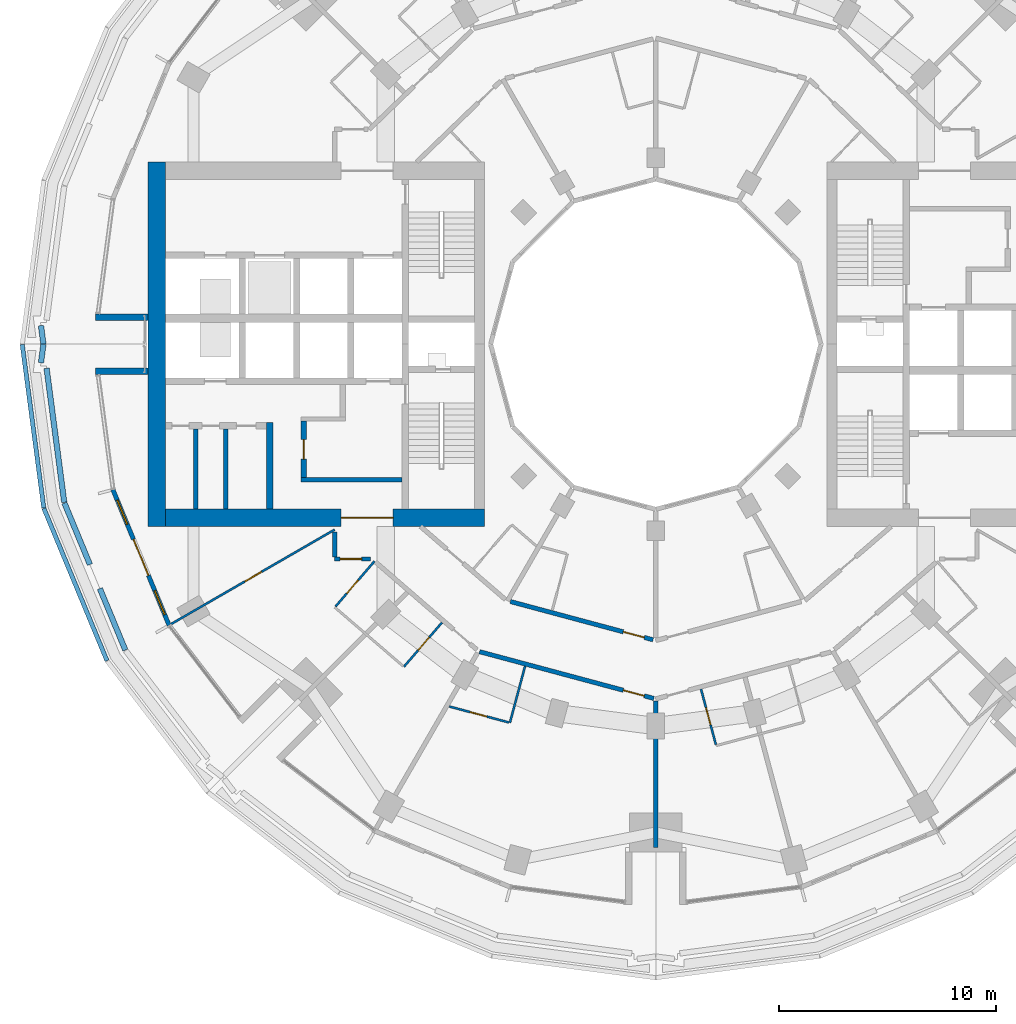
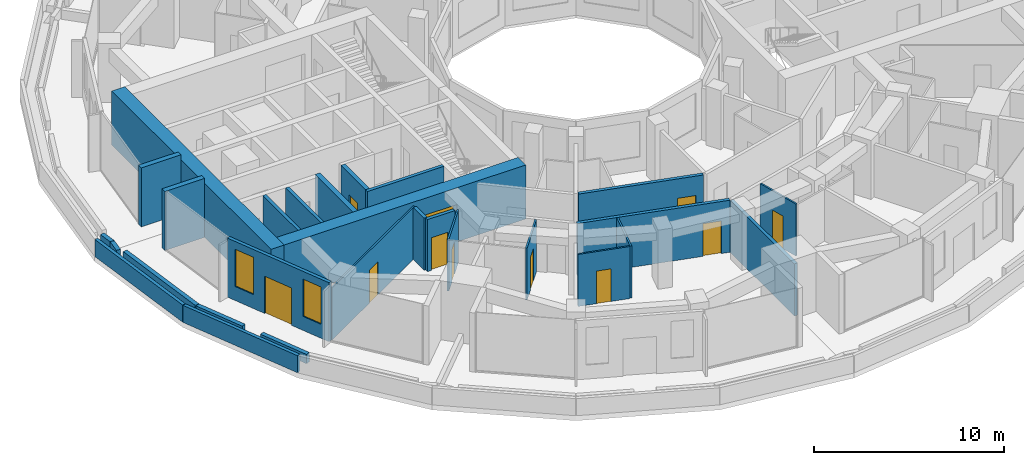
# One storey, part 10 of 19: 28 walls, 11 doors, 2 windows, 13 openings.
"""IFC4 building model written with IfcOpenShell, lengths in metres."""

from ifc_helpers import new_model, si_unit, direction, frame, frame_2d, origin, place, context, subcontext, project, spatial, rectangle, extrude, material, layer, layer_set, type_object, element, fill, save


model = new_model("IFC4")

# Units and contexts
model_context = context("Model", 3, precision=1e-05, world=origin(), true_north=direction((0.0, 1.0)))
body_context = subcontext(model_context, "Body", "Model", "MODEL_VIEW")
ifc_project = project(units=[si_unit("LENGTHUNIT", "METRE"), si_unit("AREAUNIT", "SQUARE_METRE"), si_unit("VOLUMEUNIT", "CUBIC_METRE"), si_unit("PLANEANGLEUNIT", "RADIAN"), si_unit("MASSUNIT", "GRAM", prefix="KILO")], contexts=[model_context])

# Site, building, storey
site_placement = place(None, origin())
site = spatial("IfcSite", under=ifc_project, at=site_placement, CompositionType="ELEMENT")
building_placement = place(site_placement, origin())
building = spatial("IfcBuilding", under=site, at=building_placement, Name="Torre Brocal", CompositionType="ELEMENT")
storey_placement = place(building_placement, frame((0.0, 0.0, 28.800048828125)))
storey = spatial("IfcBuildingStorey", under=building, at=storey_placement, Name="L05", CompositionType="ELEMENT", Elevation=28.800048828125)

# Walls
ifc_material_1 = material(Name="Masonry block", Category="masonry")
ifc_layer_1 = layer(ifc_material_1, 0.199951171875)
ifc_layer_set_1 = layer_set([ifc_layer_1], Name="Masonry block")
wall_type_1 = type_object("IfcWallType", Name="CORE PARTITION 200", PredefinedType="PARTITIONING", material=ifc_layer_set_1)
for number, where, z_axis, x_axis, name in (
    (1, (60.18994140625, 71.10009765625, 0.0), (0.0, 0.0, 1.0), (0.0, -1.0, 0.0), "Wall CP200"),
    (2, (58.794921875, 71.10009765625, 0.0), (0.0, 0.0, 1.0), (0.0, -1.0, 0.0), "Wall CP200"),
):
    element("IfcWall", number, at=place(storey_placement, frame(where, z_axis=z_axis, x_axis=x_axis)), inside=storey, type_object=wall_type_1, Name=name, PredefinedType="PARTITIONING", context=body_context, shape_type="SweptSolid", body=[
        extrude(rectangle(XDim=3.7001953125, YDim=0.199951171875, at=frame_2d((1.85009765625, 0.0))), origin(), (0.0, 0.0, 1.0), 3.47998046875),
    ])
ifc_material_2 = material(Name="Concrete C80", Category="concrete")
ifc_layer_2 = layer(ifc_material_2, 0.199951171875)
ifc_layer_set_2 = layer_set([ifc_layer_2], Name="Concrete C80")
wall_type_2 = type_object("IfcWallType", Name="CORE WALL 200 C80", PredefinedType="SHEAR", material=ifc_layer_set_2)
wall_1_placement = place(storey_placement, frame((68.300048828125, 68.75, 0.0), z_axis=(0.0, 0.0, 1.0), x_axis=(-1.0, 0.0, 0.0)))
element("IfcWall", 3, at=wall_1_placement, inside=storey, type_object=wall_type_2, Name="Wall CW200-80", PredefinedType="SHEAR", context=body_context, shape_type="SweptSolid", body=[
    extrude(rectangle(XDim=4.650146484375, YDim=0.199951171875, at=frame_2d((2.3251953125, 0.0))), origin(), (0.0, 0.0, 1.0), 3.47998046875),
])

# Wall, opening, door
ifc_material_3 = material(Name="Concrete C80", Category="concrete")
ifc_layer_3 = layer(ifc_material_3, 0.25)
ifc_layer_set_3 = layer_set([ifc_layer_3], Name="Concrete C80")
wall_type_3 = type_object("IfcWallType", Name="CORE WALL 250 C80", PredefinedType="SHEAR", material=ifc_layer_set_3)
wall_2_placement = place(storey_placement, frame((63.77490234375, 71.449951171875, 0.0), z_axis=(0.0, 0.0, 1.0), x_axis=(0.0, -1.0, 0.0)))
wall_2 = element("IfcWall", 4, at=wall_2_placement, inside=storey, type_object=wall_type_3, Name="Wall CW250-80", PredefinedType="SHEAR", context=body_context, shape_type="SweptSolid", body=[
    extrude(rectangle(XDim=2.599853515625, YDim=0.25, at=frame_2d((1.2998046875, 0.0))), origin(), (0.0, 0.0, 1.0), 3.47998046875),
])
opening_1_placement = place(wall_2_placement, frame((0.85009765625, 0.0, 0.0)))
opening_1 = element("IfcOpeningElement", 5, at=opening_1_placement, cuts=wall_2, Name="Opening W-D15", PredefinedType="OPENING", context=body_context, shape_type="SweptSolid", body=[
    extrude(rectangle(XDim=0.89990234375, YDim=2.10009765625, at=frame_2d((0.449951171875, 1.050048828125))), frame((0.0, 0.135009765625, 0.0), z_axis=(0.0, -1.0, 0.0), x_axis=(1.0, 0.0, 0.0)), (0.0, 0.0, 1.0), 0.27001953125),
])
ifc_material_4 = material(Name="Steel A653", Category="steel")
door_type_1 = type_object("IfcDoorType", Name="LOBBY DOOR FD120 900X2100", OperationType="SINGLE_SWING_RIGHT", PredefinedType="DOOR", material=ifc_material_4)
door_1_placement = place(opening_1_placement, origin())
door_1 = element("IfcDoor", 6, at=door_1_placement, inside=storey, type_object=door_type_1, Name="Door W-D15", OperationType="SINGLE_SWING_LEFT", OverallHeight=2.10009765625, OverallWidth=0.89990234375, PredefinedType="DOOR", context=body_context, shape_type="SweptSolid", body=[
    extrude(rectangle(XDim=0.89990234375, YDim=2.10009765625, at=frame_2d((0.449951171875, 1.050048828125))), frame((0.0, 0.02490234375, 0.0), z_axis=(0.0, -1.0, 0.0), x_axis=(1.0, 0.0, 0.0)), (0.0, 0.0, 1.0), 0.050048828125),
])
fill(opening_1, door_1)

# Wall
ifc_material_5 = material(Name="Concrete C80", Category="concrete")
ifc_layer_4 = layer(ifc_material_5, 0.300048828125)
ifc_layer_set_4 = layer_set([ifc_layer_4], Name="Concrete C80")
wall_type_4 = type_object("IfcWallType", Name="CORE WALL 300 C80", PredefinedType="SHEAR", material=ifc_layer_set_4)
wall_3_placement = place(storey_placement, frame((62.199951171875, 71.39990234375, 0.0), z_axis=(0.0, 0.0, 1.0), x_axis=(0.0, -1.0, 0.0)))
element("IfcWall", 7, at=wall_3_placement, inside=storey, type_object=wall_type_4, Name="Wall CW300-80", PredefinedType="SHEAR", context=body_context, shape_type="SweptSolid", body=[
    extrude(rectangle(XDim=4.0, YDim=0.300048828125, at=frame_2d((2.0, 0.0))), origin(), (0.0, 0.0, 1.0), 3.47998046875),
])

# Wall, opening, door
ifc_material_6 = material(Name="Concrete C80", Category="concrete")
ifc_layer_5 = layer(ifc_material_6, 0.800048828125)
ifc_layer_set_5 = layer_set([ifc_layer_5], Name="Concrete C80")
wall_type_5 = type_object("IfcWallType", Name="CORE WALL 800 C80", PredefinedType="SHEAR", material=ifc_layer_set_5)
wall_4_placement = place(storey_placement, frame((72.10009765625, 67.0, 0.0), z_axis=(0.0, 0.0, 1.0), x_axis=(-1.0, 0.0, 0.0)))
wall_4 = element("IfcWall", 8, at=wall_4_placement, inside=storey, type_object=wall_type_5, Name="Wall CW800-80", PredefinedType="SHEAR", context=body_context, shape_type="SweptSolid", body=[
    extrude(rectangle(XDim=14.7001953125, YDim=0.800048828125, at=frame_2d((7.35009765625, 0.0))), origin(), (0.0, 0.0, 1.0), 3.47998046875),
])
opening_2_placement = place(wall_4_placement, frame((4.199951171875, 0.0, 0.0)))
opening_2 = element("IfcOpeningElement", 9, at=opening_2_placement, cuts=wall_4, Name="Opening W-D27", PredefinedType="OPENING", context=body_context, shape_type="SweptSolid", body=[
    extrude(rectangle(XDim=2.39990234375, YDim=2.39990234375, at=frame_2d((1.199951171875, 1.199951171875))), frame((0.0, 0.409912109375, 0.0), z_axis=(0.0, -1.0, 0.0), x_axis=(1.0, 0.0, 0.0)), (0.0, 0.0, 1.0), 0.820068359375),
])
ifc_material_7 = material(Name="Steel A653", Category="steel")
door_type_2 = type_object("IfcDoorType", Name="DOUBLE FIRE DOOR FD90 2400X2400", OperationType="DOUBLE_DOOR_SINGLE_SWING", PredefinedType="DOOR", material=ifc_material_7)
door_2_placement = place(opening_2_placement, frame((2.39990234375, 0.0, 0.0), z_axis=(0.0, 0.0, 1.0), x_axis=(-1.0, 0.0, 0.0)))
door_2 = element("IfcDoor", 10, at=door_2_placement, inside=storey, type_object=door_type_2, Name="Door W-D27", OperationType="DOUBLE_DOOR_SINGLE_SWING", OverallHeight=2.39990234375, OverallWidth=2.39990234375, PredefinedType="DOOR", context=body_context, shape_type="SweptSolid", body=[
    extrude(rectangle(XDim=2.39990234375, YDim=2.39990234375, at=frame_2d((1.199951171875, 1.199951171875))), frame((0.0, 0.02490234375, 0.0), z_axis=(0.0, -1.0, 0.0), x_axis=(1.0, 0.0, 0.0)), (0.0, 0.0, 1.0), 0.050048828125),
])
fill(opening_2, door_2)

# Wall
wall_5_placement = place(storey_placement, frame((57.0, 83.39990234375, 0.0), z_axis=(0.0, 0.0, 1.0), x_axis=(0.0, -1.0, 0.0)))
element("IfcWall", 11, at=wall_5_placement, inside=storey, type_object=wall_type_5, Name="Wall CW800-80", PredefinedType="SHEAR", context=body_context, shape_type="SweptSolid", body=[
    extrude(rectangle(XDim=16.7998046875, YDim=0.800048828125, at=frame_2d((8.39990234375, 0.0))), origin(), (0.0, 0.0, 1.0), 3.47998046875),
])

# Wall, openings, door, windows
ifc_material_8 = material(Name="Concrete C40", Category="concrete")
ifc_layer_6 = layer(ifc_material_8, 0.199951171875)
ifc_layer_set_6 = layer_set([ifc_layer_6], Name="Concrete C40")
wall_type_6 = type_object("IfcWallType", Name="EXTERNAL WALL 200", PredefinedType="NOTDEFINED", material=ifc_layer_set_6)
wall_6_placement = place(storey_placement, frame((54.9833984375, 68.296875, 0.0), z_axis=(0.0, 0.0, 1.0), x_axis=(0.382694096902, -0.923875115043, 0.0)))
wall_6 = element("IfcWall", 12, at=wall_6_placement, inside=storey, type_object=wall_type_6, Name="EXTERNAL WALL", PredefinedType="NOTDEFINED", context=body_context, shape_type="SweptSolid", body=[
    extrude(rectangle(XDim=6.760986328125, YDim=0.199951171875, at=frame_2d((3.38037109375, 0.0))), origin(), (0.0, 0.0, 1.0), 3.800048828125),
])
opening_3_placement = place(wall_6_placement, frame((0.52685546875, 0.0, 0.89990234375)))
opening_3 = element("IfcOpeningElement", 13, at=opening_3_placement, cuts=wall_6, Name="Opening W3", PredefinedType="OPENING", context=body_context, shape_type="SweptSolid", body=[
    extrude(rectangle(XDim=1.199951171875, YDim=2.39990234375, at=frame_2d((0.60009765625, 1.199951171875))), frame((0.0, 0.10986328125, 0.0), z_axis=(0.0, -1.0, 0.0), x_axis=(1.0, 0.0, 0.0)), (0.0, 0.0, 1.0), 0.219970703125),
])
opening_4_placement = place(wall_6_placement, frame((2.48046875, 0.0, 0.0)))
opening_4 = element("IfcOpeningElement", 14, at=opening_4_placement, cuts=wall_6, Name="Opening L05-E05", PredefinedType="OPENING", context=body_context, shape_type="SweptSolid", body=[
    extrude(rectangle(XDim=1.800048828125, YDim=2.39990234375, at=frame_2d((0.89990234375, 1.199951171875))), frame((0.0, 0.10986328125, 0.0), z_axis=(0.0, -1.0, 0.0), x_axis=(1.0, 0.0, 0.0)), (0.0, 0.0, 1.0), 0.219970703125),
])
opening_5_placement = place(wall_6_placement, frame((5.0341796875, 0.0, 0.89990234375)))
opening_5 = element("IfcOpeningElement", 15, at=opening_5_placement, cuts=wall_6, Name="Opening W3", PredefinedType="OPENING", context=body_context, shape_type="SweptSolid", body=[
    extrude(rectangle(XDim=1.199951171875, YDim=2.39990234375, at=frame_2d((0.60009765625, 1.199951171875))), frame((0.0, 0.10986328125, 0.0), z_axis=(0.0, -1.0, 0.0), x_axis=(1.0, 0.0, 0.0)), (0.0, 0.0, 1.0), 0.219970703125),
])
ifc_material_9 = material(Name="Aluminium and glass", Category="aluminium")
door_type_3 = type_object("IfcDoorType", Name="TERRACE DOUBLE DOOR 1800X2400", OperationType="DOUBLE_DOOR_SINGLE_SWING", PredefinedType="DOOR", material=ifc_material_9)
door_3_placement = place(opening_4_placement, frame((1.800048828125, 0.0, 0.0), z_axis=(0.0, 0.0, 1.0), x_axis=(-1.0, 0.0, 0.0)))
door_3 = element("IfcDoor", 16, at=door_3_placement, inside=storey, type_object=door_type_3, Name="DOOR L05-E05", OperationType="DOUBLE_DOOR_SINGLE_SWING", OverallHeight=2.39990234375, OverallWidth=1.800048828125, PredefinedType="DOOR", context=body_context, shape_type="SweptSolid", body=[
    extrude(rectangle(XDim=1.800048828125, YDim=2.39990234375, at=frame_2d((0.89990234375, 1.199951171875))), frame((0.0, 0.02490234375, 0.0), z_axis=(0.0, -1.0, 0.0), x_axis=(1.0, 0.0, 0.0)), (0.0, 0.0, 1.0), 0.050048828125),
])
fill(opening_4, door_3)
ifc_material_10 = material(Name="Aluminium and glass", Category="aluminium")
window_type = type_object("IfcWindowType", Name="TERRACE WINDOW 1200X2400", PartitioningType="SINGLE_PANEL", PredefinedType="WINDOW", material=ifc_material_10)
window_1_placement = place(opening_3_placement, origin())
window_1 = element("IfcWindow", 17, at=window_1_placement, inside=storey, type_object=window_type, Name="TERRACE WINDOW 1200X2400", OverallHeight=2.39990234375, OverallWidth=1.199951171875, PartitioningType="SINGLE_PANEL", PredefinedType="WINDOW", context=body_context, shape_type="SweptSolid", body=[
    extrude(rectangle(XDim=1.199951171875, YDim=2.39990234375, at=frame_2d((0.60009765625, 1.199951171875))), frame((0.0, 0.030029296875, 0.0), z_axis=(0.0, -1.0, 0.0), x_axis=(1.0, 0.0, 0.0)), (0.0, 0.0, 1.0), 0.06005859375),
])
fill(opening_3, window_1)
window_2_placement = place(opening_5_placement, origin())
window_2 = element("IfcWindow", 18, at=window_2_placement, inside=storey, type_object=window_type, Name="TERRACE WINDOW 1200X2400", OverallHeight=2.39990234375, OverallWidth=1.199951171875, PartitioningType="SINGLE_PANEL", PredefinedType="WINDOW", context=body_context, shape_type="SweptSolid", body=[
    extrude(rectangle(XDim=1.199951171875, YDim=2.39990234375, at=frame_2d((0.60009765625, 1.199951171875))), frame((0.0, 0.030029296875, 0.0), z_axis=(0.0, -1.0, 0.0), x_axis=(1.0, 0.0, 0.0)), (0.0, 0.0, 1.0), 0.06005859375),
])
fill(opening_5, window_2)

# Walls
ifc_material_11 = material(Name="Concrete C80", Category="concrete")
ifc_layer_7 = layer(ifc_material_11, 0.300048828125)
ifc_layer_set_7 = layer_set([ifc_layer_7], Name="Concrete C80")
wall_type_7 = type_object("IfcWallType", Name="NOTCH RETURN WALL 300 C80", PredefinedType="NOTDEFINED", material=ifc_layer_set_7)
for number, where, z_axis, x_axis, name in (
    (19, (56.60009765625, 76.25, 0.0), (0.0, 0.0, 1.0), (-1.0, 0.0, 0.0), "NOTCH RETURN WALL"),
    (20, (56.60009765625, 73.75, 0.0), (0.0, 0.0, 1.0), (-1.0, 0.0, 0.0), "NOTCH RETURN WALL"),
):
    element("IfcWall", number, at=place(storey_placement, frame(where, z_axis=z_axis, x_axis=x_axis)), inside=storey, type_object=wall_type_7, Name=name, PredefinedType="NOTDEFINED", context=body_context, shape_type="SweptSolid", body=[
        extrude(rectangle(XDim=2.415771484375, YDim=0.300048828125, at=frame_2d((1.2080078125, 0.0))), origin(), (0.0, 0.0, 1.0), 3.800048828125),
    ])
ifc_material_12 = material(Name="Concrete C40", Category="concrete")
ifc_layer_8 = layer(ifc_material_12, 0.199951171875)
ifc_layer_set_8 = layer_set([ifc_layer_8], Name="Concrete C40")
wall_type_8 = type_object("IfcWallType", Name="PARAPET WALL 200 THICK 1100 HIGH 6", PredefinedType="PARAPET", material=ifc_layer_set_8)
wall_7_placement = place(storey_placement, frame((54.709228515625, 60.41357421875, 0.0), z_axis=(0.0, 0.0, 1.0), x_axis=(-0.382690553965, 0.923876582616, 0.0)))
element("IfcWall", 21, at=wall_7_placement, inside=storey, type_object=wall_type_8, Name="PARAPET WALL 11", PredefinedType="PARAPET", context=body_context, shape_type="SweptSolid", body=[
    extrude(rectangle(XDim=7.595458984375, YDim=0.199951171875, at=frame_2d((3.7978515625, 0.0))), origin(), (0.0, 0.0, 1.0), 1.099853515625),
])
wall_8_placement = place(storey_placement, frame((51.795654296875, 67.456298828125, 0.0), z_axis=(0.0, 0.0, 1.0), x_axis=(-0.130527679023, 0.991444665631, 0.0)))
element("IfcWall", 22, at=wall_8_placement, inside=storey, type_object=wall_type_8, Name="PARAPET WALL 12", PredefinedType="PARAPET", context=body_context, shape_type="SweptSolid", body=[
    extrude(rectangle(XDim=7.595703125, YDim=0.199951171875, at=frame_2d((3.7978515625, 0.0))), origin(), (0.0, 0.0, 1.0), 1.099853515625),
])

# Wall, opening, door
ifc_material_13 = material(Name="Gypsum board", Category="Gypsum")
ifc_layer_9 = layer(ifc_material_13, 0.10009765625)
ifc_layer_set_9 = layer_set([ifc_layer_9], Name="Gypsum board")
wall_type_9 = type_object("IfcWallType", Name="PARTITION 100", PredefinedType="PARTITIONING", material=ifc_layer_set_9)
wall_9_placement = place(storey_placement, frame((57.65869140625, 62.10107421875, 0.0), z_axis=(0.0, 0.0, 1.0), x_axis=(0.86602264145, 0.500004784474, 0.0)))
wall_9 = element("IfcWall", 23, at=wall_9_placement, inside=storey, type_object=wall_type_9, Name="ROOM PARTITION", PredefinedType="PARTITIONING", context=body_context, shape_type="SweptSolid", body=[
    extrude(rectangle(XDim=8.7080078125, YDim=0.10009765625, at=frame_2d((4.35400390625, 0.0))), origin(), (0.0, 0.0, 1.0), 3.349853515625),
])
opening_6_placement = place(wall_9_placement, frame((3.928955078125, 0.0, 0.0)))
opening_6 = element("IfcOpeningElement", 24, at=opening_6_placement, cuts=wall_9, Name="Opening H01-D42", PredefinedType="OPENING", context=body_context, shape_type="SweptSolid", body=[
    extrude(rectangle(XDim=0.89990234375, YDim=2.10009765625, at=frame_2d((0.449951171875, 1.050048828125))), frame((0.0, 0.06005859375, 0.0), z_axis=(0.0, -1.0, 0.0), x_axis=(1.0, 0.0, 0.0)), (0.0, 0.0, 1.0), 0.1201171875),
])
ifc_material_14 = material(Name="Timber", Category="wood")
door_type_4 = type_object("IfcDoorType", Name="ROOM DOOR 900X2100", OperationType="SINGLE_SWING_LEFT", PredefinedType="DOOR", material=ifc_material_14)
door_4_placement = place(opening_6_placement, origin())
door_4 = element("IfcDoor", 25, at=door_4_placement, inside=storey, type_object=door_type_4, Name="H01-D42", OperationType="SINGLE_SWING_RIGHT", OverallHeight=2.10009765625, OverallWidth=0.89990234375, PredefinedType="DOOR", context=body_context, shape_type="SweptSolid", body=[
    extrude(rectangle(XDim=0.89990234375, YDim=2.10009765625, at=frame_2d((0.449951171875, 1.050048828125))), frame((0.0, 0.02490234375, 0.0), z_axis=(0.0, -1.0, 0.0), x_axis=(1.0, 0.0, 0.0)), (0.0, 0.0, 1.0), 0.050048828125),
])
fill(opening_6, door_4)

wall_10_placement = place(storey_placement, frame((65.24169921875, 62.911865234375, 0.0), z_axis=(0.0, 0.0, 1.0), x_axis=(0.652069888227, 0.758158862553, 0.0)))
wall_10 = element("IfcWall", 26, at=wall_10_placement, inside=storey, type_object=wall_type_9, Name="BATHROOM WALL", PredefinedType="PARTITIONING", context=body_context, shape_type="SweptSolid", body=[
    extrude(rectangle(XDim=2.75, YDim=0.10009765625, at=frame_2d((1.375, 0.0))), origin(), (0.0, 0.0, 1.0), 3.349853515625),
])
opening_7_placement = place(wall_10_placement, frame((0.800048828125, 0.0, 0.0)))
opening_7 = element("IfcOpeningElement", 27, at=opening_7_placement, cuts=wall_10, Name="Opening H01-D41", PredefinedType="OPENING", context=body_context, shape_type="SweptSolid", body=[
    extrude(rectangle(XDim=0.800048828125, YDim=2.10009765625, at=frame_2d((0.39990234375, 1.050048828125))), frame((0.0, 0.06005859375, 0.0), z_axis=(0.0, -1.0, 0.0), x_axis=(1.0, 0.0, 0.0)), (0.0, 0.0, 1.0), 0.1201171875),
])
ifc_material_15 = material(Name="Timber", Category="wood")
door_type_5 = type_object("IfcDoorType", Name="BATHROOM DOOR 800X2100", OperationType="SINGLE_SWING_LEFT", PredefinedType="DOOR", material=ifc_material_15)
door_5_placement = place(opening_7_placement, frame((0.800048828125, 0.0, 0.0), z_axis=(0.0, 0.0, 1.0), x_axis=(-1.0, 0.0, 0.0)))
door_5 = element("IfcDoor", 28, at=door_5_placement, inside=storey, type_object=door_type_5, Name="H01-D41", OperationType="SINGLE_SWING_RIGHT", OverallHeight=2.10009765625, OverallWidth=0.800048828125, PredefinedType="DOOR", context=body_context, shape_type="SweptSolid", body=[
    extrude(rectangle(XDim=0.800048828125, YDim=2.10009765625, at=frame_2d((0.39990234375, 1.050048828125))), frame((0.0, 0.02490234375, 0.0), z_axis=(0.0, -1.0, 0.0), x_axis=(1.0, 0.0, 0.0)), (0.0, 0.0, 1.0), 0.050048828125),
])
fill(opening_7, door_5)

wall_11_placement = place(storey_placement, frame((68.39306640625, 60.135009765625, 0.0), z_axis=(0.0, 0.0, 1.0), x_axis=(0.652061182569, 0.758166349944, 0.0)))
wall_11 = element("IfcWall", 29, at=wall_11_placement, inside=storey, type_object=wall_type_9, Name="BATHROOM WALL", PredefinedType="PARTITIONING", context=body_context, shape_type="SweptSolid", body=[
    extrude(rectangle(XDim=2.689697265625, YDim=0.10009765625, at=frame_2d((1.3447265625, 0.0))), origin(), (0.0, 0.0, 1.0), 3.349853515625),
])
opening_8_placement = place(wall_11_placement, frame((1.0, 0.0, 0.0)))
opening_8 = element("IfcOpeningElement", 30, at=opening_8_placement, cuts=wall_11, Name="Opening H01-D39", PredefinedType="OPENING", context=body_context, shape_type="SweptSolid", body=[
    extrude(rectangle(XDim=0.800048828125, YDim=2.10009765625, at=frame_2d((0.39990234375, 1.050048828125))), frame((0.0, 0.06005859375, 0.0), z_axis=(0.0, -1.0, 0.0), x_axis=(1.0, 0.0, 0.0)), (0.0, 0.0, 1.0), 0.1201171875),
])
door_6_placement = place(opening_8_placement, origin())
door_6 = element("IfcDoor", 31, at=door_6_placement, inside=storey, type_object=door_type_5, Name="H01-D39", OperationType="SINGLE_SWING_RIGHT", OverallHeight=2.10009765625, OverallWidth=0.800048828125, PredefinedType="DOOR", context=body_context, shape_type="SweptSolid", body=[
    extrude(rectangle(XDim=0.800048828125, YDim=2.10009765625, at=frame_2d((0.39990234375, 1.050048828125))), frame((0.0, 0.02490234375, 0.0), z_axis=(0.0, -1.0, 0.0), x_axis=(1.0, 0.0, 0.0)), (0.0, 0.0, 1.0), 0.050048828125),
])
fill(opening_8, door_6)

wall_12_placement = place(storey_placement, frame((70.484375, 58.305419921875, 0.0), z_axis=(0.0, 0.0, 1.0), x_axis=(0.965904703781, -0.258897862512, 0.0)))
wall_12 = element("IfcWall", 32, at=wall_12_placement, inside=storey, type_object=wall_type_9, Name="BATHROOM WALL", PredefinedType="PARTITIONING", context=body_context, shape_type="SweptSolid", body=[
    extrude(rectangle(XDim=2.84130859375, YDim=0.10009765625, at=frame_2d((1.420654296875, 0.0))), origin(), (0.0, 0.0, 1.0), 3.349853515625),
])
opening_9_placement = place(wall_12_placement, frame((0.990478515625, 0.0, 0.0)))
opening_9 = element("IfcOpeningElement", 33, at=opening_9_placement, cuts=wall_12, Name="Opening H01-D37", PredefinedType="OPENING", context=body_context, shape_type="SweptSolid", body=[
    extrude(rectangle(XDim=0.800048828125, YDim=2.10009765625, at=frame_2d((0.39990234375, 1.050048828125))), frame((0.0, 0.06005859375, 0.0), z_axis=(0.0, -1.0, 0.0), x_axis=(1.0, 0.0, 0.0)), (0.0, 0.0, 1.0), 0.1201171875),
])
door_7_placement = place(opening_9_placement, origin())
door_7 = element("IfcDoor", 34, at=door_7_placement, inside=storey, type_object=door_type_5, Name="H01-D37", OperationType="SINGLE_SWING_LEFT", OverallHeight=2.10009765625, OverallWidth=0.800048828125, PredefinedType="DOOR", context=body_context, shape_type="SweptSolid", body=[
    extrude(rectangle(XDim=0.800048828125, YDim=2.10009765625, at=frame_2d((0.39990234375, 1.050048828125))), frame((0.0, 0.02490234375, 0.0), z_axis=(0.0, -1.0, 0.0), x_axis=(1.0, 0.0, 0.0)), (0.0, 0.0, 1.0), 0.050048828125),
])
fill(opening_9, door_7)

# Wall
wall_13_placement = place(storey_placement, frame((73.277099609375, 57.556884765625, 0.0), z_axis=(0.0, 0.0, 1.0), x_axis=(0.258928960762, 0.965896367774, 0.0)))
element("IfcWall", 35, at=wall_13_placement, inside=storey, type_object=wall_type_9, Name="BATHROOM WALL", PredefinedType="PARTITIONING", context=body_context, shape_type="SweptSolid", body=[
    extrude(rectangle(XDim=2.699462890625, YDim=0.10009765625, at=frame_2d((1.349609375, 0.0))), origin(), (0.0, 0.0, 1.0), 3.349853515625),
])

# Wall, opening, door
wall_14_placement = place(storey_placement, frame((82.083984375, 59.1083984375, 0.0), z_axis=(0.0, 0.0, 1.0), x_axis=(0.258591746437, -0.965986702121, 0.0)))
wall_14 = element("IfcWall", 36, at=wall_14_placement, inside=storey, type_object=wall_type_9, Name="BATHROOM WALL", PredefinedType="PARTITIONING", context=body_context, shape_type="SweptSolid", body=[
    extrude(rectangle(XDim=2.649169921875, YDim=0.10009765625, at=frame_2d((1.32470703125, 0.0))), origin(), (0.0, 0.0, 1.0), 3.349853515625),
])
opening_10_placement = place(wall_14_placement, frame((0.899658203125, 0.0, 0.0)))
opening_10 = element("IfcOpeningElement", 37, at=opening_10_placement, cuts=wall_14, Name="Opening H01-D35", PredefinedType="OPENING", context=body_context, shape_type="SweptSolid", body=[
    extrude(rectangle(XDim=0.800048828125, YDim=2.10009765625, at=frame_2d((0.39990234375, 1.050048828125))), frame((0.0, 0.06005859375, 0.0), z_axis=(0.0, -1.0, 0.0), x_axis=(1.0, 0.0, 0.0)), (0.0, 0.0, 1.0), 0.1201171875),
])
door_8_placement = place(opening_10_placement, origin())
door_8 = element("IfcDoor", 38, at=door_8_placement, inside=storey, type_object=door_type_5, Name="H01-D35", OperationType="SINGLE_SWING_LEFT", OverallHeight=2.10009765625, OverallWidth=0.800048828125, PredefinedType="DOOR", context=body_context, shape_type="SweptSolid", body=[
    extrude(rectangle(XDim=0.800048828125, YDim=2.10009765625, at=frame_2d((0.39990234375, 1.050048828125))), frame((0.0, 0.02490234375, 0.0), z_axis=(0.0, -1.0, 0.0), x_axis=(1.0, 0.0, 0.0)), (0.0, 0.0, 1.0), 0.050048828125),
])
fill(opening_10, door_8)

# Wall
ifc_material_16 = material(Name="Gypsum board", Category="Gypsum")
ifc_layer_10 = layer(ifc_material_16, 0.199951171875)
ifc_layer_set_10 = layer_set([ifc_layer_10], Name="Gypsum board")
wall_type_10 = type_object("IfcWallType", Name="PARTITION 200 EI60", PredefinedType="PARTITIONING", material=ifc_layer_set_10)
wall_15_placement = place(storey_placement, frame((65.199951171875, 65.199951171875, 0.0), z_axis=(0.0, 0.0, 1.0), x_axis=(0.0, 1.0, 0.0)))
element("IfcWall", 39, at=wall_15_placement, inside=storey, type_object=wall_type_10, Name="GUESTROOM CORRIDOR WALL", PredefinedType="PARTITIONING", context=body_context, shape_type="SweptSolid", body=[
    extrude(rectangle(XDim=1.150146484375, YDim=0.199951171875, at=frame_2d((0.5751953125, 0.0))), origin(), (0.0, 0.0, 1.0), 3.349853515625),
])

# Wall, opening, door
wall_16_placement = place(storey_placement, frame((65.199951171875, 65.10009765625, 0.0), z_axis=(0.0, 0.0, 1.0), x_axis=(1.0, 0.0, 0.0)))
wall_16 = element("IfcWall", 40, at=wall_16_placement, inside=storey, type_object=wall_type_10, Name="GUESTROOM CORRIDOR WALL", PredefinedType="PARTITIONING", context=body_context, shape_type="SweptSolid", body=[
    extrude(rectangle(XDim=1.655029296875, YDim=0.199951171875, at=frame_2d((0.82763671875, 0.0))), origin(), (0.0, 0.0, 1.0), 3.349853515625),
])
opening_11_placement = place(wall_16_placement, frame((0.25, 0.0, 0.0)))
opening_11 = element("IfcOpeningElement", 41, at=opening_11_placement, cuts=wall_16, Name="Opening H01-D40", PredefinedType="OPENING", context=body_context, shape_type="SweptSolid", body=[
    extrude(rectangle(XDim=1.0, YDim=2.10009765625, at=frame_2d((0.5, 1.050048828125))), frame((0.0, 0.10986328125, 0.0), z_axis=(0.0, -1.0, 0.0), x_axis=(1.0, 0.0, 0.0)), (0.0, 0.0, 1.0), 0.219970703125),
])
ifc_material_17 = material(Name="Timber", Category="wood")
door_type_6 = type_object("IfcDoorType", Name="FLAT ENTRY DOOR FD30S 1000X2100", OperationType="SINGLE_SWING_RIGHT", PredefinedType="DOOR", material=ifc_material_17)
door_9_placement = place(opening_11_placement, frame((1.0, 0.0, 0.0), z_axis=(0.0, 0.0, 1.0), x_axis=(-1.0, 0.0, 0.0)))
door_9 = element("IfcDoor", 42, at=door_9_placement, inside=storey, type_object=door_type_6, Name="H01-D40", OperationType="SINGLE_SWING_RIGHT", OverallHeight=2.10009765625, OverallWidth=1.0, PredefinedType="DOOR", context=body_context, shape_type="SweptSolid", body=[
    extrude(rectangle(XDim=1.0, YDim=2.10009765625, at=frame_2d((0.5, 1.050048828125))), frame((0.0, 0.02490234375, 0.0), z_axis=(0.0, -1.0, 0.0), x_axis=(1.0, 0.0, 0.0)), (0.0, 0.0, 1.0), 0.050048828125),
])
fill(opening_11, door_9)

wall_17_placement = place(storey_placement, frame((71.877197265625, 60.831298828125, 0.0), z_axis=(0.0, 0.0, 1.0), x_axis=(0.965852509869, -0.259092510851, 0.0)))
wall_17 = element("IfcWall", 43, at=wall_17_placement, inside=storey, type_object=wall_type_10, Name="GUESTROOM CORRIDOR WALL", PredefinedType="PARTITIONING", context=body_context, shape_type="SweptSolid", body=[
    extrude(rectangle(XDim=8.319580078125, YDim=0.199951171875, at=frame_2d((4.15966796875, 0.0))), origin(), (0.0, 0.0, 1.0), 3.349853515625),
])
opening_12_placement = place(wall_17_placement, frame((6.859619140625, 0.0, 0.0)))
opening_12 = element("IfcOpeningElement", 44, at=opening_12_placement, cuts=wall_17, Name="Opening H01-D36", PredefinedType="OPENING", context=body_context, shape_type="SweptSolid", body=[
    extrude(rectangle(XDim=1.0, YDim=2.10009765625, at=frame_2d((0.5, 1.050048828125))), frame((0.0, 0.10986328125, 0.0), z_axis=(0.0, -1.0, 0.0), x_axis=(1.0, 0.0, 0.0)), (0.0, 0.0, 1.0), 0.219970703125),
])
door_10_placement = place(opening_12_placement, frame((1.0, 0.0, 0.0), z_axis=(0.0, 0.0, 1.0), x_axis=(-1.0, 0.0, 0.0)))
door_10 = element("IfcDoor", 45, at=door_10_placement, inside=storey, type_object=door_type_6, Name="H01-D36", OperationType="SINGLE_SWING_LEFT", OverallHeight=2.10009765625, OverallWidth=1.0, PredefinedType="DOOR", context=body_context, shape_type="SweptSolid", body=[
    extrude(rectangle(XDim=1.0, YDim=2.10009765625, at=frame_2d((0.5, 1.050048828125))), frame((0.0, 0.02490234375, 0.0), z_axis=(0.0, -1.0, 0.0), x_axis=(1.0, 0.0, 0.0)), (0.0, 0.0, 1.0), 0.050048828125),
])
fill(opening_12, door_10)

wall_18_placement = place(storey_placement, frame((73.296875, 63.142578125, 0.0), z_axis=(0.0, 0.0, 1.0), x_axis=(0.965859030528, -0.25906820173, 0.0)))
wall_18 = element("IfcWall", 46, at=wall_18_placement, inside=storey, type_object=wall_type_10, Name="GUESTROOM CORRIDOR WALL", PredefinedType="PARTITIONING", context=body_context, shape_type="SweptSolid", body=[
    extrude(rectangle(XDim=6.8095703125, YDim=0.199951171875, at=frame_2d((3.40478515625, 0.0))), origin(), (0.0, 0.0, 1.0), 3.349853515625),
])
opening_13_placement = place(wall_18_placement, frame((5.3896484375, 0.0, 0.0)))
opening_13 = element("IfcOpeningElement", 47, at=opening_13_placement, cuts=wall_18, Name="Opening H01-D46", PredefinedType="OPENING", context=body_context, shape_type="SweptSolid", body=[
    extrude(rectangle(XDim=1.0, YDim=2.10009765625, at=frame_2d((0.5, 1.050048828125))), frame((0.0, 0.10986328125, 0.0), z_axis=(0.0, -1.0, 0.0), x_axis=(1.0, 0.0, 0.0)), (0.0, 0.0, 1.0), 0.219970703125),
])
door_11_placement = place(opening_13_placement, origin())
door_11 = element("IfcDoor", 48, at=door_11_placement, inside=storey, type_object=door_type_6, Name="H01-D46", OperationType="SINGLE_SWING_RIGHT", OverallHeight=2.10009765625, OverallWidth=1.0, PredefinedType="DOOR", context=body_context, shape_type="SweptSolid", body=[
    extrude(rectangle(XDim=1.0, YDim=2.10009765625, at=frame_2d((0.5, 1.050048828125))), frame((0.0, 0.02490234375, 0.0), z_axis=(0.0, -1.0, 0.0), x_axis=(1.0, 0.0, 0.0)), (0.0, 0.0, 1.0), 0.050048828125),
])
fill(opening_13, door_11)

# Walls
wall_19_placement = place(storey_placement, frame((80.0, 51.801025390625, 0.0), z_axis=(0.0, 0.0, 1.0), x_axis=(0.0, 1.0, 0.0)))
element("IfcWall", 49, at=wall_19_placement, inside=storey, type_object=wall_type_10, Name="PARTY PARTITION", PredefinedType="PARTITIONING", context=body_context, shape_type="SweptSolid", body=[
    extrude(rectangle(XDim=6.761962890625, YDim=0.199951171875, at=frame_2d((3.380859375, 0.0))), origin(), (0.0, 0.0, 1.0), 3.349853515625),
])
ifc_material_18 = material(Name="Concrete C35", Category="concrete")
ifc_layer_11 = layer(ifc_material_18, 0.25)
ifc_layer_set_11 = layer_set([ifc_layer_11], Name="Concrete C35")
wall_type_11 = type_object("IfcWallType", Name="PLANTER WALL 250 THICK 600 HIGH 6", PredefinedType="USERDEFINED", material=ifc_layer_set_11)
wall_20_placement = place(storey_placement, frame((51.781005859375, 75.0, 0.0), z_axis=(0.0, 0.0, 1.0), x_axis=(-0.130520142052, 0.991445657875, 0.0)))
element("IfcWall", 50, at=wall_20_placement, inside=storey, type_object=wall_type_11, Name="PLANTER", ObjectType="PLANTER", PredefinedType="USERDEFINED", context=body_context, shape_type="SweptSolid", body=[
    extrude(rectangle(XDim=0.865966796875, YDim=0.25, at=frame_2d((0.43310546875, 0.0))), origin(), (0.0, 0.0, 1.0), 0.599853515625),
])
for number, where, z_axis, x_axis, name in (
    (51, (55.555419921875, 60.90576171875, 0.0), (0.0, 0.0, 1.0), (-0.38275488762, 0.923849931538, 0.0), "PLANTER"),
    (52, (53.922607421875, 64.84765625, 0.0), (0.0, 0.0, 1.0), (-0.382726739509, 0.923861592916, 0.0), "PLANTER"),
):
    element("IfcWall", number, at=place(storey_placement, frame(where, z_axis=z_axis, x_axis=x_axis)), inside=storey, type_object=wall_type_11, Name=name, ObjectType="PLANTER", PredefinedType="USERDEFINED", context=body_context, shape_type="SweptSolid", body=[
        extrude(rectangle(XDim=3.06689453125, YDim=0.25, at=frame_2d((1.533447265625, 0.0))), origin(), (0.0, 0.0, 1.0), 0.599853515625),
    ])
wall_21_placement = place(storey_placement, frame((52.740478515625, 67.712646484375, 0.0), z_axis=(0.0, 0.0, 1.0), x_axis=(-0.130531529041, 0.991444158753, 0.0)))
element("IfcWall", 53, at=wall_21_placement, inside=storey, type_object=wall_type_11, Name="PLANTER", ObjectType="PLANTER", PredefinedType="USERDEFINED", context=body_context, shape_type="SweptSolid", body=[
    extrude(rectangle(XDim=6.23193359375, YDim=0.25, at=frame_2d((3.115966796875, 0.0))), origin(), (0.0, 0.0, 1.0), 0.599853515625),
])
wall_22_placement = place(storey_placement, frame((51.66796875, 74.141357421875, 0.0), z_axis=(0.0, 0.0, 1.0), x_axis=(0.130520142052, 0.991445657875, 0.0)))
element("IfcWall", 54, at=wall_22_placement, inside=storey, type_object=wall_type_11, Name="PLANTER", ObjectType="PLANTER", PredefinedType="USERDEFINED", context=body_context, shape_type="SweptSolid", body=[
    extrude(rectangle(XDim=0.865966796875, YDim=0.25, at=frame_2d((0.43310546875, 0.0))), origin(), (0.0, 0.0, 1.0), 0.599853515625),
])

save(model, "model.ifc")
